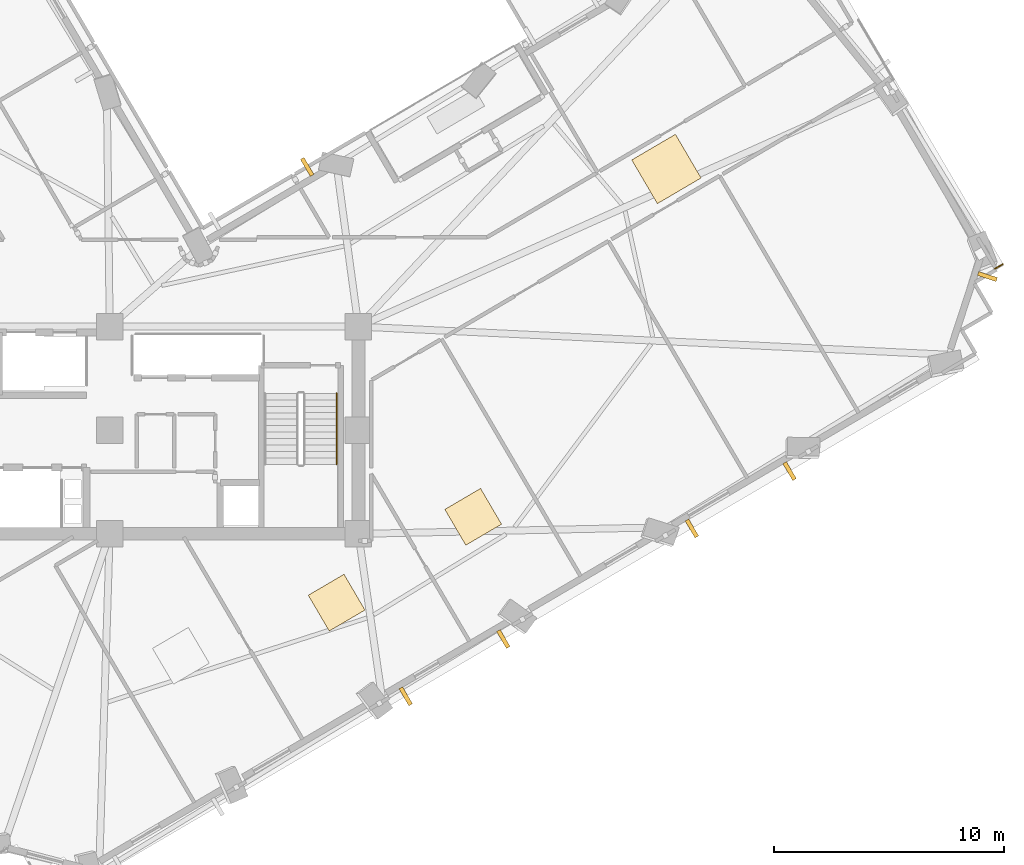
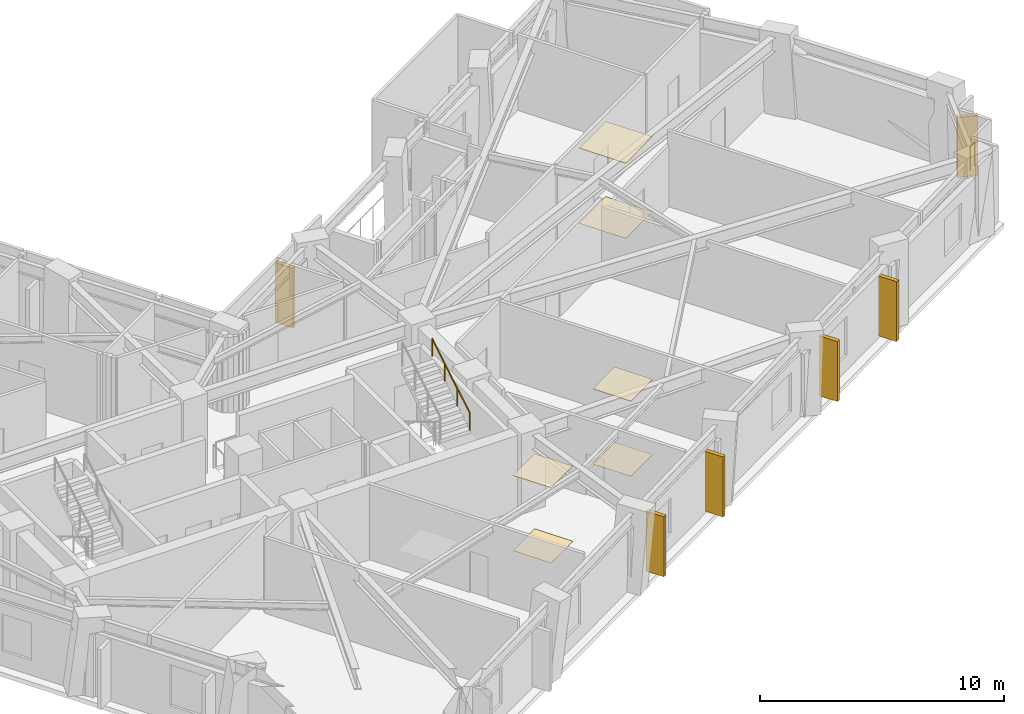
# One storey, part 10 of 12: 6 coverings, 6 shading devices, 2 railings.
"""IFC4 building model written with IfcOpenShell, lengths in metres."""

from ifc_helpers import new_model, si_unit, direction, frame, origin, origin_2d, place, context, subcontext, project, spatial, rectangle, circle, extrude, material, layer, layer_set, type_object, element, save


model = new_model("IFC4")

# Units and contexts
model_context = context("Model", 3, precision=1e-05, world=origin(), true_north=direction((0.0, 1.0)))
body_context = subcontext(model_context, "Body", "Model", "MODEL_VIEW")
ifc_project = project(units=[si_unit("LENGTHUNIT", "METRE"), si_unit("AREAUNIT", "SQUARE_METRE"), si_unit("VOLUMEUNIT", "CUBIC_METRE"), si_unit("PLANEANGLEUNIT", "RADIAN"), si_unit("MASSUNIT", "GRAM", prefix="KILO")], contexts=[model_context])

# Site, building, storey
site_placement = place(None, origin())
site = spatial("IfcSite", under=ifc_project, at=site_placement, CompositionType="ELEMENT")
building_placement = place(site_placement, origin())
building = spatial("IfcBuilding", under=site, at=building_placement, Name="Gaonmaruhae Medical Tower", CompositionType="ELEMENT")
storey_placement = place(building_placement, frame((0.0, 0.0, 153.800048828125)))
storey = spatial("IfcBuildingStorey", under=building, at=storey_placement, Name="L36", CompositionType="ELEMENT", Elevation=153.800048828125)

# Coverings
ifc_material_1 = material(Name="Acoustic mineral ceiling tile", Category="finish")
ifc_layer_1 = layer(ifc_material_1, 0.02490234375)
ifc_layer_set_1 = layer_set([ifc_layer_1], Name="Acoustic mineral ceiling tile")
covering_type_1 = type_object("IfcCoveringType", Name="CLG-01 Antimicrobial Acoustic Mineral Ceiling", PredefinedType="CEILING", material=ifc_layer_set_1)
covering_1_placement = place(storey_placement, frame((48.9716796875, 23.644775390625, 3.7548828125), z_axis=(0.0, 0.0, 1.0), x_axis=(0.862513669207, 0.506033764121, 0.0)))
element("IfcCovering", 1, at=covering_1_placement, inside=storey, type_object=covering_type_1, Name="L36 Clinical Corridor Acoustic Ceiling", PredefinedType="CEILING", context=body_context, shape_type="SweptSolid", body=[
    extrude(rectangle(XDim=2.199951171875, YDim=2.199951171875, at=origin_2d()), origin(), (0.0, 0.0, 1.0), 0.02490234375),
])
for number, where, z_axis, x_axis, name in (
    (2, (34.65283203125, 4.814697265625, 3.7548828125), (0.0, 0.0, 1.0), (0.862513669207, 0.506033764121, 0.0), "L36 Clinical Room Acoustic Ceiling 3"),
    (3, (40.582275390625, 8.541748046875, 3.7548828125), (0.0, 0.0, 1.0), (0.862513669207, 0.506033764121, 0.0), "L36 Clinical Room Acoustic Ceiling 4"),
):
    element("IfcCovering", number, at=place(storey_placement, frame(where, z_axis=z_axis, x_axis=x_axis)), inside=storey, type_object=covering_type_1, Name=name, PredefinedType="CEILING", context=body_context, shape_type="SweptSolid", body=[
        extrude(rectangle(XDim=1.800048828125, YDim=1.800048828125, at=origin_2d()), origin(), (0.0, 0.0, 1.0), 0.02490234375),
    ])
ifc_material_2 = material(Name="Seamless clinical vinyl flooring", Category="finish")
ifc_layer_2 = layer(ifc_material_2, 0.014892578125)
ifc_layer_set_2 = layer_set([ifc_layer_2], Name="Seamless clinical vinyl flooring")
covering_type_2 = type_object("IfcCoveringType", Name="FLR-01 Seamless Clinical Antistatic Vinyl Flooring", PredefinedType="FLOORING", material=ifc_layer_set_2)
covering_2_placement = place(storey_placement, frame((48.9716796875, 23.644775390625, 0.00048828125), z_axis=(0.0, 0.0, 1.0), x_axis=(0.862513669207, 0.506033764121, 0.0)))
element("IfcCovering", 4, at=covering_2_placement, inside=storey, type_object=covering_type_2, Name="L36 Clinical Corridor Vinyl Flooring", PredefinedType="FLOORING", context=body_context, shape_type="SweptSolid", body=[
    extrude(rectangle(XDim=2.199951171875, YDim=2.199951171875, at=origin_2d()), origin(), (0.0, 0.0, 1.0), 0.014892578125),
])
for number, where, z_axis, x_axis, name in (
    (5, (34.65283203125, 4.814697265625, 0.0), (0.0, 0.0, 1.0), (0.862513669207, 0.506033764121, 0.0), "L36 Clinical Room Vinyl Flooring 3"),
    (6, (40.582275390625, 8.541748046875, 0.0), (0.0, 0.0, 1.0), (0.862513669207, 0.506033764121, 0.0), "L36 Clinical Room Vinyl Flooring 4"),
):
    element("IfcCovering", number, at=place(storey_placement, frame(where, z_axis=z_axis, x_axis=x_axis)), inside=storey, type_object=covering_type_2, Name=name, PredefinedType="FLOORING", context=body_context, shape_type="SweptSolid", body=[
        extrude(rectangle(XDim=1.800048828125, YDim=1.800048828125, at=origin_2d()), origin(), (0.0, 0.0, 1.0), 0.014892578125),
    ])

# Railings
ifc_material_3 = material(Name="Stainless steel 316L and laminated safety glass", Category="steel")
ifc_layer_3 = layer(ifc_material_3, 0.080078125)
ifc_layer_set_3 = layer_set([ifc_layer_3], Name="Stainless steel 316L and laminated safety glass")
railing_type_1 = type_object("IfcRailingType", Name="GD-120 Outdoor Terrace Safety Glass & Steel Balustrade", PredefinedType="BALUSTRADE", material=ifc_layer_set_3)
railing_1_placement = place(storey_placement, frame((63.5771484375, 19.512451171875, 0.0)))
element("IfcRailing", 7, at=railing_1_placement, inside=storey, type_object=railing_type_1, Name="L36 Perimeter Slab Edge Safety Balustrade 03", PredefinedType="BALUSTRADE", context=body_context, shape_type="SweptSolid", body=[
    extrude(circle(Radius=0.02392578125, at=origin_2d()), frame((0.0, 0.0, 1.17578125), z_axis=(-0.862651283186, -0.505799133667, 0.0), x_axis=(0.505799133667, -0.862651283186, 0.0)), (0.0, 0.0, 1.0), 0.393310546875),
    extrude(circle(Radius=0.02099609375, at=origin_2d()), origin(), (0.0, 0.0, 1.0), 1.15185546875),
    extrude(circle(Radius=0.02099609375, at=origin_2d()), frame((-0.33935546875, -0.198974609375, 0.0)), (0.0, 0.0, 1.0), 1.15185546875),
])
ifc_material_4 = material(Name="Stainless steel 304 handrail", Category="steel")
railing_type_2 = type_object("IfcRailingType", Name="HR-092 Continuous Stainless Steel Stair Handrail", PredefinedType="HANDRAIL", material=ifc_material_4)
railing_2_placement = place(storey_placement, frame((34.64990234375, 10.820068359375, 2.16650390625)))
element("IfcRailing", 8, at=railing_2_placement, inside=storey, type_object=railing_type_2, Name="L36 ST-02 stair handrail 2", PredefinedType="HANDRAIL", context=body_context, shape_type="SweptSolid", body=[
    extrude(circle(Radius=0.02392578125, at=origin_2d()), frame((0.0, 0.0, 0.8759765625), z_axis=(0.0, 0.859260807169, 0.511537745687), x_axis=(-1.0, 0.0, 0.0)), (0.0, 0.0, 1.0), 3.584228515625),
    extrude(circle(Radius=0.02099609375, at=origin_2d()), origin(), (0.0, 0.0, 1.0), 0.851806640625),
    extrude(circle(Radius=0.02099609375, at=origin_2d()), frame((0.0, 1.026611328125, 0.611083984375)), (0.0, 0.0, 1.0), 0.851806640625),
    extrude(circle(Radius=0.02099609375, at=origin_2d()), frame((0.0, 2.05322265625, 1.222412109375)), (0.0, 0.0, 1.0), 0.851806640625),
    extrude(circle(Radius=0.02099609375, at=origin_2d()), frame((0.0, 3.079833984375, 1.83349609375)), (0.0, 0.0, 1.0), 0.851806640625),
])

# Shading devices
ifc_material_5 = material(Name="Pigmented coral precast concrete C45/55", Category="concrete")
shading_device_type = type_object("IfcShadingDeviceType", Name="SD-FIN1 Tower Vertical Coral Precast Shading Fin", PredefinedType="USERDEFINED", material=ifc_material_5)
for number, where, z_axis, x_axis, name in (
    (9, (41.89111328125, 3.235595703125, 0.08251953125), (0.0, 0.0, 1.0), (-0.862513669207, -0.506033764121, 0.0), "L36 Vertical Coral Precast Shading Fin S03"),
    (10, (37.65234375, 0.748779296875, 0.08251953125), (0.0, 0.0, 1.0), (-0.862513669207, -0.506033764121, 0.0), "L36 Vertical Coral Precast Shading Fin S03B"),
    (11, (54.318359375, 10.52685546875, 0.08251953125), (0.0, 0.0, 1.0), (-0.862513669207, -0.506033764121, 0.0), "L36 Vertical Coral Precast Shading Fin S05"),
    (12, (50.076416015625, 8.0380859375, 0.08251953125), (0.0, 0.0, 1.0), (-0.862513669207, -0.506033764121, 0.0), "L36 Vertical Coral Precast Shading Fin S05B"),
    (13, (62.9111328125, 18.974853515625, 0.08251953125), (0.0, 0.0, 1.0), (-0.31155554693, -0.950227941695, 0.0), "L36 Vertical Coral Precast Shading Fin S07"),
    (14, (33.373291015625, 23.733642578125, 0.08251953125), (0.0, 0.0, 1.0), (0.862513669207, 0.506033764121, 0.0), "L36 Vertical Coral Precast Shading Fin EN03B"),
):
    element("IfcShadingDevice", number, at=place(storey_placement, frame(where, z_axis=z_axis, x_axis=x_axis)), inside=storey, type_object=shading_device_type, Name=name, ObjectType="FIN", PredefinedType="USERDEFINED", context=body_context, shape_type="SweptSolid", body=[
        extrude(rectangle(XDim=0.179931640625, YDim=0.85009765625, at=origin_2d()), origin(), (0.0, 0.0, 1.0), 3.0),
    ])

save(model, "model.ifc")
